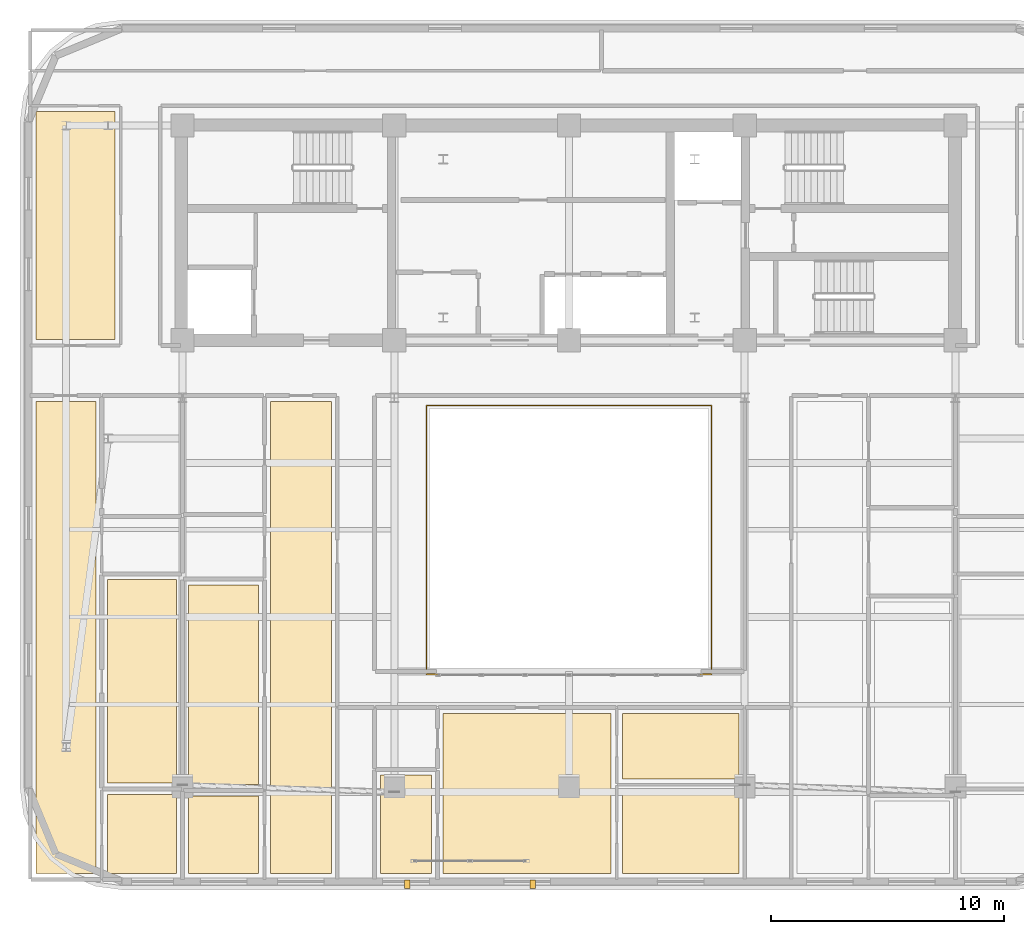
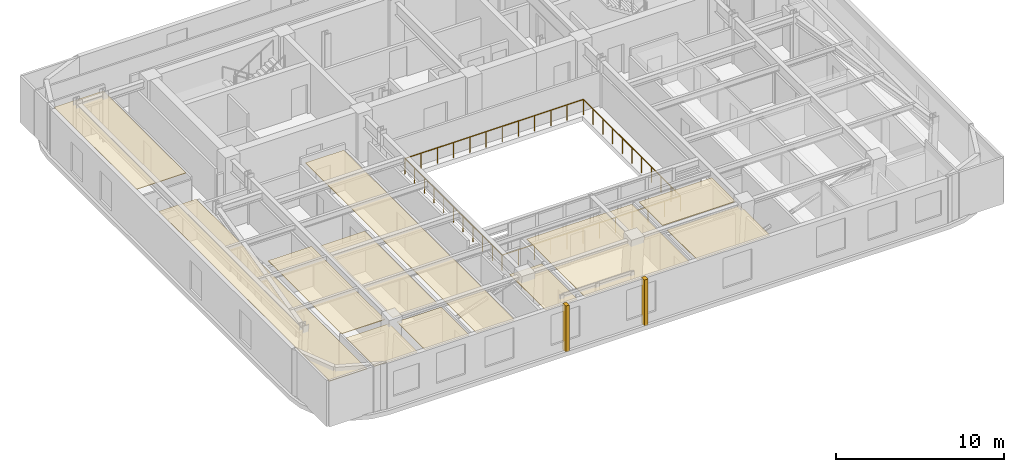
# One storey, part 11 of 14: 13 coverings, 1 railing.
"""IFC4 building model written with IfcOpenShell, lengths in metres."""

import ifcopenshell
import ifcopenshell.guid

model = None  # the IFC model being written
_history = None  # IfcOwnerHistory: only IFC2X3 demands one
_inside = {}  # id of a spatial element -> (the spatial element, [elements in it])
_under = {}  # id of a project, library or spatial element -> (it, [spatial elements below it])
_declared = {}  # id of a project -> (the project, [libraries it declares])
_typed = {}  # id of a type object -> (the type object, [elements of that type])
_made_of = {}  # id of a material, layer set ... -> (it, [elements and type objects made of it])


def new_model(schema):
    """Start an empty IFC model of exactly this schema.

    Asked for "IFC4X3", IfcOpenShell would pick the latest addendum, in which some entities
    have other attributes; the version numbers below select the first issue.
    IFC2X3 requires an IfcOwnerHistory on every rooted entity: one is made here for all.
    """
    global model, _history
    if schema == "IFC4X3":
        model = ifcopenshell.file(schema_version=(4, 3, 0, 0))
    else:
        model = ifcopenshell.file(schema=schema)
    _inside.clear()
    _under.clear()
    _declared.clear()
    _typed.clear()
    _made_of.clear()
    _history = None
    if model.schema == "IFC2X3":
        org = make("IfcOrganization", Name="unknown")
        user = make(
            "IfcPersonAndOrganization",
            ThePerson=make("IfcPerson", FamilyName="unknown"),
            TheOrganization=org,
        )
        app = make(
            "IfcApplication",
            ApplicationDeveloper=org,
            Version="unknown",
            ApplicationFullName="unknown",
            ApplicationIdentifier="unknown",
        )
        _history = make(
            "IfcOwnerHistory",
            OwningUser=user,
            OwningApplication=app,
            ChangeAction="ADDED",
            CreationDate=0,
        )
    return model


def make(cls, **values):
    """One entity of the class cls with the attributes given. An attribute that is None is left unset."""
    return model.create_entity(
        cls, **{name: value for name, value in values.items() if value is not None}
    )


def rooted(cls, **values):
    """An entity with a GlobalId (a new one), such as an element, a storey or a relation."""
    return make(cls, GlobalId=ifcopenshell.guid.new(), OwnerHistory=_history, **values)


def si_unit(unit_type, name, prefix=None):
    """IfcSIUnit, for example si_unit("LENGTHUNIT", "METRE", prefix="MILLI")."""
    return make("IfcSIUnit", UnitType=unit_type, Prefix=prefix, Name=name)


def assignment(units):
    """IfcUnitAssignment: the units of a project."""
    return None if units is None else make("IfcUnitAssignment", Units=units)


def point(xyz):
    """IfcCartesianPoint."""
    return None if xyz is None else make("IfcCartesianPoint", Coordinates=xyz)


def direction(xyz):
    """IfcDirection."""
    return None if xyz is None else make("IfcDirection", DirectionRatios=xyz)


def frame(location, z_axis=None, x_axis=None):
    """IfcAxis2Placement3D, a coordinate frame: its origin and axes. An axis left out is left unset."""
    return make(
        "IfcAxis2Placement3D",
        Location=point(location),
        Axis=direction(z_axis),
        RefDirection=direction(x_axis),
    )


def frame_2d(location, x_axis=None):
    """IfcAxis2Placement2D, a coordinate frame in the plane: its origin and x axis."""
    return make(
        "IfcAxis2Placement2D", Location=point(location), RefDirection=direction(x_axis)
    )


def origin():
    """The frame at (0, 0, 0) with its axes left unset."""
    return frame((0.0, 0.0, 0.0))


def origin_2d():
    """The frame at (0, 0) in the plane with its x axis left unset."""
    return frame_2d((0.0, 0.0))


def place(relative_to, where):
    """IfcLocalPlacement: puts the frame where relative to a parent placement (None: the world)."""
    return make(
        "IfcLocalPlacement", PlacementRelTo=relative_to, RelativePlacement=where
    )


def context(
    kind, dimensions, precision=None, world=None, true_north=None, identifier=None
):
    """IfcGeometricRepresentationContext, for example the 3D "Model" context."""
    return make(
        "IfcGeometricRepresentationContext",
        ContextIdentifier=identifier,
        ContextType=kind,
        CoordinateSpaceDimension=dimensions,
        Precision=precision,
        WorldCoordinateSystem=world,
        TrueNorth=true_north,
    )


def subcontext(parent, identifier, kind, view, scale=None):
    """IfcGeometricRepresentationSubContext, for example "Body" below "Model"."""
    return make(
        "IfcGeometricRepresentationSubContext",
        ContextIdentifier=identifier,
        ContextType=kind,
        ParentContext=parent,
        TargetScale=scale,
        TargetView=view,
    )


def project(units=None, contexts=None):
    """IfcProject with its units and contexts."""
    return rooted(
        "IfcProject",
        Name="project",
        RepresentationContexts=contexts,
        UnitsInContext=assignment(units),
    )


def spatial(cls, under=None, at=None, **own):
    """A site, building, storey or space (cls), placed at a placement, below another one or the project."""
    s = rooted(cls, ObjectPlacement=at, **own)
    if under is not None:
        _under.setdefault(under.id(), (under, []))[1].append(s)
    return s


def polyline(points):
    """IfcPolyline through the points."""
    return make("IfcPolyline", Points=[point(p) for p in points])


def profile(cls, at=None, kind="AREA", **sizes):
    """A parametric profile (cls). Its sizes go by their IFC names, for example OverallWidth=200.0."""
    return make(cls, ProfileType=kind, Position=at, **sizes)


def rectangle(**sizes):
    """IfcRectangleProfileDef."""
    return profile("IfcRectangleProfileDef", **sizes)


def outline(outer, holes=None, kind="AREA"):
    """IfcArbitraryClosedProfileDef: a profile drawn as a closed curve; with holes, ...WithVoids."""
    if holes is None:
        return make("IfcArbitraryClosedProfileDef", ProfileType=kind, OuterCurve=outer)
    return make(
        "IfcArbitraryProfileDefWithVoids",
        ProfileType=kind,
        OuterCurve=outer,
        InnerCurves=holes,
    )


def extrude(swept, where, along, depth):
    """IfcExtrudedAreaSolid: the profile swept, set in the frame where, extruded along a direction by depth."""
    return make(
        "IfcExtrudedAreaSolid",
        SweptArea=swept,
        Position=where,
        ExtrudedDirection=direction(along),
        Depth=depth,
    )


def shape(context_of_items, identifier, shape_type, items):
    """IfcShapeRepresentation: the items that make up one representation, for example the "Body"."""
    return make(
        "IfcShapeRepresentation",
        ContextOfItems=context_of_items,
        RepresentationIdentifier=identifier,
        RepresentationType=shape_type,
        Items=items,
    )


def material(Name=None, Category=None):
    """IfcMaterial."""
    return make("IfcMaterial", Name=Name, Category=Category)


def layer(
    of_material, thickness, ventilated=None, Name=None, Category=None, Priority=None
):
    """IfcMaterialLayer: one layer of a wall or slab, of a material (None: an air gap)."""
    return make(
        "IfcMaterialLayer",
        Material=of_material,
        LayerThickness=thickness,
        IsVentilated=ventilated,
        Name=Name,
        Category=Category,
        Priority=Priority,
    )


def layer_set(layers, Name=None):
    """IfcMaterialLayerSet."""
    return make("IfcMaterialLayerSet", MaterialLayers=layers, LayerSetName=Name)


def made_of(thing, what):
    """Note that an element or type object is made of a material, layer set ...; save() writes the relation."""
    if what is not None:
        _made_of.setdefault(what.id(), (what, []))[1].append(thing)
    return thing


def type_object(cls, material=None, **own):
    """A type object (cls), such as IfcWallType, which elements share."""
    return made_of(rooted(cls, **own), material)


def element(
    cls,
    number,
    at=None,
    inside=None,
    cuts=None,
    type_object=None,
    material=None,
    context=None,
    identifier="Body",
    shape_type=None,
    held_by="IfcProductDefinitionShape",
    body=None,
    shapes=None,
    **own,
):
    """One element of the class cls, such as IfcWall. Its Tag is "e" and its number.

    at: its placement. inside: the storey or other place that contains it. cuts: it is an
    opening in that element (IfcRelVoidsElement). A single representation is given by context,
    identifier, shape_type and body (its items); several are given by shapes. held_by: the class
    of the entity that holds the representations. save() writes the other relations.
    """
    e = rooted(cls, Tag="e%d" % number, ObjectPlacement=at, **own)
    if body is not None:
        shapes = [shape(context, identifier, shape_type, body)]
    if shapes is not None:
        e.Representation = make(held_by, Representations=shapes)
    if inside is not None:
        _inside.setdefault(inside.id(), (inside, []))[1].append(e)
    if cuts is not None:
        rooted(
            "IfcRelVoidsElement", RelatingBuildingElement=cuts, RelatedOpeningElement=e
        )
    if type_object is not None:
        _typed.setdefault(type_object.id(), (type_object, []))[1].append(e)
    return made_of(e, material)


def aggregate(whole, parts):
    """IfcRelAggregates: a whole, such as a stair, and the parts it consists of."""
    return rooted("IfcRelAggregates", RelatingObject=whole, RelatedObjects=parts)


def save(model, path):
    """Write the relations noted so far, then the file.

    IfcRelAggregates (storeys below a building ...), IfcRelContainedInSpatialStructure (elements
    in a storey), IfcRelDefinesByType, IfcRelAssociatesMaterial and IfcRelDeclares: one each for
    every whole, place, type object, material and project.
    """
    for whole, parts in _under.values():
        aggregate(whole, parts)
    for where, things in _inside.values():
        rooted(
            "IfcRelContainedInSpatialStructure",
            RelatedElements=things,
            RelatingStructure=where,
        )
    for kind, things in _typed.values():
        rooted("IfcRelDefinesByType", RelatedObjects=things, RelatingType=kind)
    for what, things in _made_of.values():
        rooted("IfcRelAssociatesMaterial", RelatedObjects=things, RelatingMaterial=what)
    for by, libraries in _declared.values():
        rooted("IfcRelDeclares", RelatingContext=by, RelatedDefinitions=libraries)
    model.write(path)


model = new_model("IFC4")

# Units and contexts
model_context = context("Model", 3, precision=1e-05, world=origin(), true_north=direction((0.0, 1.0)))
body_context = subcontext(model_context, "Body", "Model", "MODEL_VIEW")
ifc_project = project(units=[si_unit("LENGTHUNIT", "METRE"), si_unit("AREAUNIT", "SQUARE_METRE"), si_unit("VOLUMEUNIT", "CUBIC_METRE"), si_unit("PLANEANGLEUNIT", "RADIAN"), si_unit("MASSUNIT", "GRAM", prefix="KILO")], contexts=[model_context])

# Site, building, storey
site_placement = place(None, origin())
site = spatial("IfcSite", under=ifc_project, at=site_placement, CompositionType="ELEMENT")
building_placement = place(site_placement, origin())
building = spatial("IfcBuilding", under=site, at=building_placement, Name="Zarnavel Station Tower", CompositionType="ELEMENT")
storey_placement = place(building_placement, frame((0.0, 0.0, 193.199951171875)))
storey = spatial("IfcBuildingStorey", under=building, at=storey_placement, Name="L52", CompositionType="ELEMENT", Elevation=193.199951171875)

# Coverings
ifc_material_1 = material(Name="Perforated Gypsum and Mineral-Wool Acoustic Ceiling", Category="concrete")
ifc_layer = layer(ifc_material_1, 0.0400390625)
ifc_layer_set = layer_set([ifc_layer], Name="COV_CEIL_ACOUSTIC")
covering_type_1 = type_object("IfcCoveringType", Name="COV_CEIL_ACOUSTIC", PredefinedType="CEILING", material=ifc_layer_set)
covering_1_placement = place(storey_placement, frame((0.0, 0.0, 3.02001953125)))
element("IfcCovering", 1, at=covering_1_placement, inside=storey, type_object=covering_type_1, Name="L52 FNW Acoustic Ceiling", PredefinedType="CEILING", context=body_context, shape_type="SweptSolid", body=[
    extrude(outline(polyline([(5.909912109375, 27.85009765625), (9.300048828125, 27.85009765625), (9.300048828125, 37.64990234375), (5.909912109375, 37.64990234375), (5.909912109375, 27.85009765625)])), origin(), (0.0, 0.0, 1.0), 0.0400390625),
])
covering_2_placement = place(storey_placement, frame((0.0, 0.0, 3.02001953125)))
element("IfcCovering", 2, at=covering_2_placement, inside=storey, type_object=covering_type_1, Name="L52 UW1LV Acoustic Ceiling", PredefinedType="CEILING", context=body_context, shape_type="SweptSolid", body=[
    extrude(outline(polyline([(5.909912109375, 4.909912109375), (8.48388671875, 4.909912109375), (8.48388671875, 25.199951171875), (5.909912109375, 25.199951171875), (5.909912109375, 4.909912109375)])), origin(), (0.0, 0.0, 1.0), 0.0400390625),
])
covering_3_placement = place(storey_placement, frame((0.0, 0.0, 3.02001953125)))
element("IfcCovering", 3, at=covering_3_placement, inside=storey, type_object=covering_type_1, Name="L52 UW1B1 Acoustic Ceiling", PredefinedType="CEILING", context=body_context, shape_type="SweptSolid", body=[
    extrude(outline(polyline([(8.98388671875, 4.909912109375), (11.949951171875, 4.909912109375), (11.949951171875, 8.304931640625), (8.98388671875, 8.304931640625), (8.98388671875, 4.909912109375)])), origin(), (0.0, 0.0, 1.0), 0.0400390625),
])
covering_4_placement = place(storey_placement, frame((0.0, 0.0, 3.02001953125)))
element("IfcCovering", 4, at=covering_4_placement, inside=storey, type_object=covering_type_1, Name="L52 UW1KT Acoustic Ceiling", PredefinedType="CEILING", context=body_context, shape_type="SweptSolid", body=[
    extrude(outline(polyline([(8.98388671875, 8.804931640625), (11.949951171875, 8.804931640625), (11.949951171875, 17.5380859375), (8.98388671875, 17.5380859375), (8.98388671875, 8.804931640625)])), origin(), (0.0, 0.0, 1.0), 0.0400390625),
])
covering_5_placement = place(storey_placement, frame((0.0, 0.0, 3.02001953125)))
element("IfcCovering", 5, at=covering_5_placement, inside=storey, type_object=covering_type_1, Name="L52 UW2LV Acoustic Ceiling", PredefinedType="CEILING", context=body_context, shape_type="SweptSolid", body=[
    extrude(outline(polyline([(15.97509765625, 4.909912109375), (18.60009765625, 4.909912109375), (18.60009765625, 25.199951171875), (15.97509765625, 25.199951171875), (15.97509765625, 4.909912109375)])), origin(), (0.0, 0.0, 1.0), 0.0400390625),
])
covering_6_placement = place(storey_placement, frame((0.0, 0.0, 3.02001953125)))
element("IfcCovering", 6, at=covering_6_placement, inside=storey, type_object=covering_type_1, Name="L52 UW2B1 Acoustic Ceiling", PredefinedType="CEILING", context=body_context, shape_type="SweptSolid", body=[
    extrude(outline(polyline([(12.449951171875, 4.909912109375), (15.47509765625, 4.909912109375), (15.47509765625, 8.239990234375), (12.449951171875, 8.239990234375), (12.449951171875, 4.909912109375)])), origin(), (0.0, 0.0, 1.0), 0.0400390625),
])
covering_7_placement = place(storey_placement, frame((0.0, 0.0, 3.02001953125)))
element("IfcCovering", 7, at=covering_7_placement, inside=storey, type_object=covering_type_1, Name="L52 UW2KT Acoustic Ceiling", PredefinedType="CEILING", context=body_context, shape_type="SweptSolid", body=[
    extrude(outline(polyline([(12.449951171875, 8.739990234375), (15.47509765625, 8.739990234375), (15.47509765625, 17.318115234375), (12.449951171875, 17.318115234375), (12.449951171875, 8.739990234375)])), origin(), (0.0, 0.0, 1.0), 0.0400390625),
])
covering_8_placement = place(storey_placement, frame((0.0, 0.0, 3.02001953125)))
element("IfcCovering", 8, at=covering_8_placement, inside=storey, type_object=covering_type_1, Name="L52 US1LV Acoustic Ceiling", PredefinedType="CEILING", context=body_context, shape_type="SweptSolid", body=[
    extrude(outline(polyline([(23.39990234375, 4.909912109375), (30.60009765625, 4.909912109375), (30.60009765625, 11.800048828125), (23.39990234375, 11.800048828125), (23.39990234375, 4.909912109375)])), origin(), (0.0, 0.0, 1.0), 0.0400390625),
])
covering_9_placement = place(storey_placement, frame((0.0, 0.0, 3.02001953125)))
element("IfcCovering", 9, at=covering_9_placement, inside=storey, type_object=covering_type_1, Name="L52 US1KT Acoustic Ceiling", PredefinedType="CEILING", context=body_context, shape_type="SweptSolid", body=[
    extrude(outline(polyline([(20.699951171875, 4.909912109375), (22.89990234375, 4.909912109375), (22.89990234375, 9.139892578125), (20.699951171875, 9.139892578125), (20.699951171875, 4.909912109375)])), origin(), (0.0, 0.0, 1.0), 0.0400390625),
])
covering_10_placement = place(storey_placement, frame((0.0, 0.0, 3.02001953125)))
element("IfcCovering", 10, at=covering_10_placement, inside=storey, type_object=covering_type_1, Name="L52 US1B1 Acoustic Ceiling", PredefinedType="CEILING", context=body_context, shape_type="SweptSolid", body=[
    extrude(outline(polyline([(31.10009765625, 4.909912109375), (36.10009765625, 4.909912109375), (36.10009765625, 8.485107421875), (31.10009765625, 8.485107421875), (31.10009765625, 4.909912109375)])), origin(), (0.0, 0.0, 1.0), 0.0400390625),
])
covering_11_placement = place(storey_placement, frame((0.0, 0.0, 3.02001953125)))
element("IfcCovering", 11, at=covering_11_placement, inside=storey, type_object=covering_type_1, Name="L52 US1B2 Acoustic Ceiling", PredefinedType="CEILING", context=body_context, shape_type="SweptSolid", body=[
    extrude(outline(polyline([(31.10009765625, 8.985107421875), (36.10009765625, 8.985107421875), (36.10009765625, 11.800048828125), (31.10009765625, 11.800048828125), (31.10009765625, 8.985107421875)])), origin(), (0.0, 0.0, 1.0), 0.0400390625),
])
ifc_material_2 = material(Name="Precast concrete C45/55 (Pale Travertine Slab Band)", Category="masonry")
covering_type_2 = type_object("IfcCoveringType", Name="COV_TRAVERTINE_BAND", PredefinedType="CLADDING", material=ifc_material_2)
for number, where, z_axis, x_axis, name in (
    (12, (21.85009765625, 4.449951171875, 0.0), (0.0, 0.0, 1.0), (1.0, 0.0, 0.0), "L52 Travertine Portal Loggia Vertical Jog West"),
    (13, (27.25, 4.449951171875, 0.0), (0.0, 0.0, 1.0), (1.0, 0.0, 0.0), "L52 Travertine Portal Loggia Vertical Jog East"),
):
    element("IfcCovering", number, at=place(storey_placement, frame(where, z_axis=z_axis, x_axis=x_axis)), inside=storey, type_object=covering_type_2, Name=name, PredefinedType="CLADDING", context=body_context, shape_type="SweptSolid", body=[
        extrude(rectangle(XDim=0.239990234375, YDim=0.360107421875, at=origin_2d()), origin(), (0.0, 0.0, 1.0), 3.340087890625),
    ])

# Railing
ifc_material_3 = material(Name="Painted Steel S355J2 Balustrade", Category="steel")
railing_type = type_object("IfcRailingType", Name="GR_INT_1150", PredefinedType="GUARDRAIL", material=ifc_material_3)
railing_placement = place(storey_placement, frame((22.679931640625, 13.47998046875, 0.0)))
element("IfcRailing", 14, at=railing_placement, inside=storey, type_object=railing_type, Name="L52 Atrium Void Guardrail", PredefinedType="GUARDRAIL", context=body_context, shape_type="SweptSolid", body=[
    extrude(rectangle(XDim=0.048095703125, YDim=0.048095703125, at=origin_2d()), frame((0.001953125, 0.0, 1.1259765625), z_axis=(1.0, 0.0, 0.0), x_axis=(0.0, 1.0, 0.0)), (0.0, 0.0, 1.0), 12.236083984375),
    extrude(rectangle(XDim=0.048095703125, YDim=0.048095703125, at=origin_2d()), frame((12.239990234375, 0.001953125, 1.1259765625), z_axis=(0.0, 1.0, 0.0), x_axis=(-1.0, 0.0, 0.0)), (0.0, 0.0, 1.0), 11.5361328125),
    extrude(rectangle(XDim=0.048095703125, YDim=0.048095703125, at=origin_2d()), frame((12.238037109375, 11.5400390625, 1.1259765625), z_axis=(-1.0, 0.0, 0.0), x_axis=(0.0, -1.0, 0.0)), (0.0, 0.0, 1.0), 12.236083984375),
    extrude(rectangle(XDim=0.048095703125, YDim=0.048095703125, at=origin_2d()), frame((0.0, 11.5380859375, 1.1259765625), z_axis=(0.0, -1.0, 0.0), x_axis=(1.0, 0.0, 0.0)), (0.0, 0.0, 1.0), 11.5361328125),
    extrude(rectangle(XDim=0.0419921875, YDim=0.0419921875, at=origin_2d()), origin(), (0.0, 0.0, 1.0), 1.101806640625),
    extrude(rectangle(XDim=0.0419921875, YDim=0.0419921875, at=origin_2d()), frame((1.11279296875, 0.0, 0.0)), (0.0, 0.0, 1.0), 1.101806640625),
    extrude(rectangle(XDim=0.0419921875, YDim=0.0419921875, at=origin_2d()), frame((2.225341796875, 0.0, 0.0)), (0.0, 0.0, 1.0), 1.101806640625),
    extrude(rectangle(XDim=0.0419921875, YDim=0.0419921875, at=origin_2d()), frame((3.338134765625, 0.0, 0.0)), (0.0, 0.0, 1.0), 1.101806640625),
    extrude(rectangle(XDim=0.0419921875, YDim=0.0419921875, at=origin_2d()), frame((4.450927734375, 0.0, 0.0)), (0.0, 0.0, 1.0), 1.101806640625),
    extrude(rectangle(XDim=0.0419921875, YDim=0.0419921875, at=origin_2d()), frame((5.563720703125, 0.0, 0.0)), (0.0, 0.0, 1.0), 1.101806640625),
    extrude(rectangle(XDim=0.0419921875, YDim=0.0419921875, at=origin_2d()), frame((6.67626953125, 0.0, 0.0)), (0.0, 0.0, 1.0), 1.101806640625),
    extrude(rectangle(XDim=0.0419921875, YDim=0.0419921875, at=origin_2d()), frame((7.7890625, 0.0, 0.0)), (0.0, 0.0, 1.0), 1.101806640625),
    extrude(rectangle(XDim=0.0419921875, YDim=0.0419921875, at=origin_2d()), frame((8.90185546875, 0.0, 0.0)), (0.0, 0.0, 1.0), 1.101806640625),
    extrude(rectangle(XDim=0.0419921875, YDim=0.0419921875, at=origin_2d()), frame((10.0146484375, 0.0, 0.0)), (0.0, 0.0, 1.0), 1.101806640625),
    extrude(rectangle(XDim=0.0419921875, YDim=0.0419921875, at=origin_2d()), frame((11.127197265625, 0.0, 0.0)), (0.0, 0.0, 1.0), 1.101806640625),
    extrude(rectangle(XDim=0.0419921875, YDim=0.0419921875, at=origin_2d()), frame((12.239990234375, 0.0, 0.0)), (0.0, 0.0, 1.0), 1.101806640625),
    extrude(rectangle(XDim=0.0419921875, YDim=0.0419921875, at=origin_2d()), frame((12.239990234375, 1.154052734375, 0.0)), (0.0, 0.0, 1.0), 1.101806640625),
    extrude(rectangle(XDim=0.0419921875, YDim=0.0419921875, at=origin_2d()), frame((12.239990234375, 2.30810546875, 0.0)), (0.0, 0.0, 1.0), 1.101806640625),
    extrude(rectangle(XDim=0.0419921875, YDim=0.0419921875, at=origin_2d()), frame((12.239990234375, 3.4619140625, 0.0)), (0.0, 0.0, 1.0), 1.101806640625),
    extrude(rectangle(XDim=0.0419921875, YDim=0.0419921875, at=origin_2d()), frame((12.239990234375, 4.615966796875, 0.0)), (0.0, 0.0, 1.0), 1.101806640625),
    extrude(rectangle(XDim=0.0419921875, YDim=0.0419921875, at=origin_2d()), frame((12.239990234375, 5.77001953125, 0.0)), (0.0, 0.0, 1.0), 1.101806640625),
    extrude(rectangle(XDim=0.0419921875, YDim=0.0419921875, at=origin_2d()), frame((12.239990234375, 6.924072265625, 0.0)), (0.0, 0.0, 1.0), 1.101806640625),
    extrude(rectangle(XDim=0.0419921875, YDim=0.0419921875, at=origin_2d()), frame((12.239990234375, 8.078125, 0.0)), (0.0, 0.0, 1.0), 1.101806640625),
    extrude(rectangle(XDim=0.0419921875, YDim=0.0419921875, at=origin_2d()), frame((12.239990234375, 9.23193359375, 0.0)), (0.0, 0.0, 1.0), 1.101806640625),
    extrude(rectangle(XDim=0.0419921875, YDim=0.0419921875, at=origin_2d()), frame((12.239990234375, 10.385986328125, 0.0)), (0.0, 0.0, 1.0), 1.101806640625),
    extrude(rectangle(XDim=0.0419921875, YDim=0.0419921875, at=origin_2d()), frame((12.239990234375, 11.5400390625, 0.0)), (0.0, 0.0, 1.0), 1.101806640625),
    extrude(rectangle(XDim=0.0419921875, YDim=0.0419921875, at=origin_2d()), frame((11.127197265625, 11.5400390625, 0.0)), (0.0, 0.0, 1.0), 1.101806640625),
    extrude(rectangle(XDim=0.0419921875, YDim=0.0419921875, at=origin_2d()), frame((10.0146484375, 11.5400390625, 0.0)), (0.0, 0.0, 1.0), 1.101806640625),
    extrude(rectangle(XDim=0.0419921875, YDim=0.0419921875, at=origin_2d()), frame((8.90185546875, 11.5400390625, 0.0)), (0.0, 0.0, 1.0), 1.101806640625),
    extrude(rectangle(XDim=0.0419921875, YDim=0.0419921875, at=origin_2d()), frame((7.7890625, 11.5400390625, 0.0)), (0.0, 0.0, 1.0), 1.101806640625),
    extrude(rectangle(XDim=0.0419921875, YDim=0.0419921875, at=origin_2d()), frame((6.67626953125, 11.5400390625, 0.0)), (0.0, 0.0, 1.0), 1.101806640625),
    extrude(rectangle(XDim=0.0419921875, YDim=0.0419921875, at=origin_2d()), frame((5.563720703125, 11.5400390625, 0.0)), (0.0, 0.0, 1.0), 1.101806640625),
    extrude(rectangle(XDim=0.0419921875, YDim=0.0419921875, at=origin_2d()), frame((4.450927734375, 11.5400390625, 0.0)), (0.0, 0.0, 1.0), 1.101806640625),
    extrude(rectangle(XDim=0.0419921875, YDim=0.0419921875, at=origin_2d()), frame((3.338134765625, 11.5400390625, 0.0)), (0.0, 0.0, 1.0), 1.101806640625),
    extrude(rectangle(XDim=0.0419921875, YDim=0.0419921875, at=origin_2d()), frame((2.225341796875, 11.5400390625, 0.0)), (0.0, 0.0, 1.0), 1.101806640625),
    extrude(rectangle(XDim=0.0419921875, YDim=0.0419921875, at=origin_2d()), frame((1.11279296875, 11.5400390625, 0.0)), (0.0, 0.0, 1.0), 1.101806640625),
    extrude(rectangle(XDim=0.0419921875, YDim=0.0419921875, at=origin_2d()), frame((0.0, 11.5400390625, 0.0)), (0.0, 0.0, 1.0), 1.101806640625),
    extrude(rectangle(XDim=0.0419921875, YDim=0.0419921875, at=origin_2d()), frame((0.0, 10.385986328125, 0.0)), (0.0, 0.0, 1.0), 1.101806640625),
    extrude(rectangle(XDim=0.0419921875, YDim=0.0419921875, at=origin_2d()), frame((0.0, 9.23193359375, 0.0)), (0.0, 0.0, 1.0), 1.101806640625),
    extrude(rectangle(XDim=0.0419921875, YDim=0.0419921875, at=origin_2d()), frame((0.0, 8.078125, 0.0)), (0.0, 0.0, 1.0), 1.101806640625),
    extrude(rectangle(XDim=0.0419921875, YDim=0.0419921875, at=origin_2d()), frame((0.0, 6.924072265625, 0.0)), (0.0, 0.0, 1.0), 1.101806640625),
    extrude(rectangle(XDim=0.0419921875, YDim=0.0419921875, at=origin_2d()), frame((0.0, 5.77001953125, 0.0)), (0.0, 0.0, 1.0), 1.101806640625),
    extrude(rectangle(XDim=0.0419921875, YDim=0.0419921875, at=origin_2d()), frame((0.0, 4.615966796875, 0.0)), (0.0, 0.0, 1.0), 1.101806640625),
    extrude(rectangle(XDim=0.0419921875, YDim=0.0419921875, at=origin_2d()), frame((0.0, 3.4619140625, 0.0)), (0.0, 0.0, 1.0), 1.101806640625),
    extrude(rectangle(XDim=0.0419921875, YDim=0.0419921875, at=origin_2d()), frame((0.0, 2.30810546875, 0.0)), (0.0, 0.0, 1.0), 1.101806640625),
    extrude(rectangle(XDim=0.0419921875, YDim=0.0419921875, at=origin_2d()), frame((0.0, 1.154052734375, 0.0)), (0.0, 0.0, 1.0), 1.101806640625),
])

save(model, "model.ifc")
